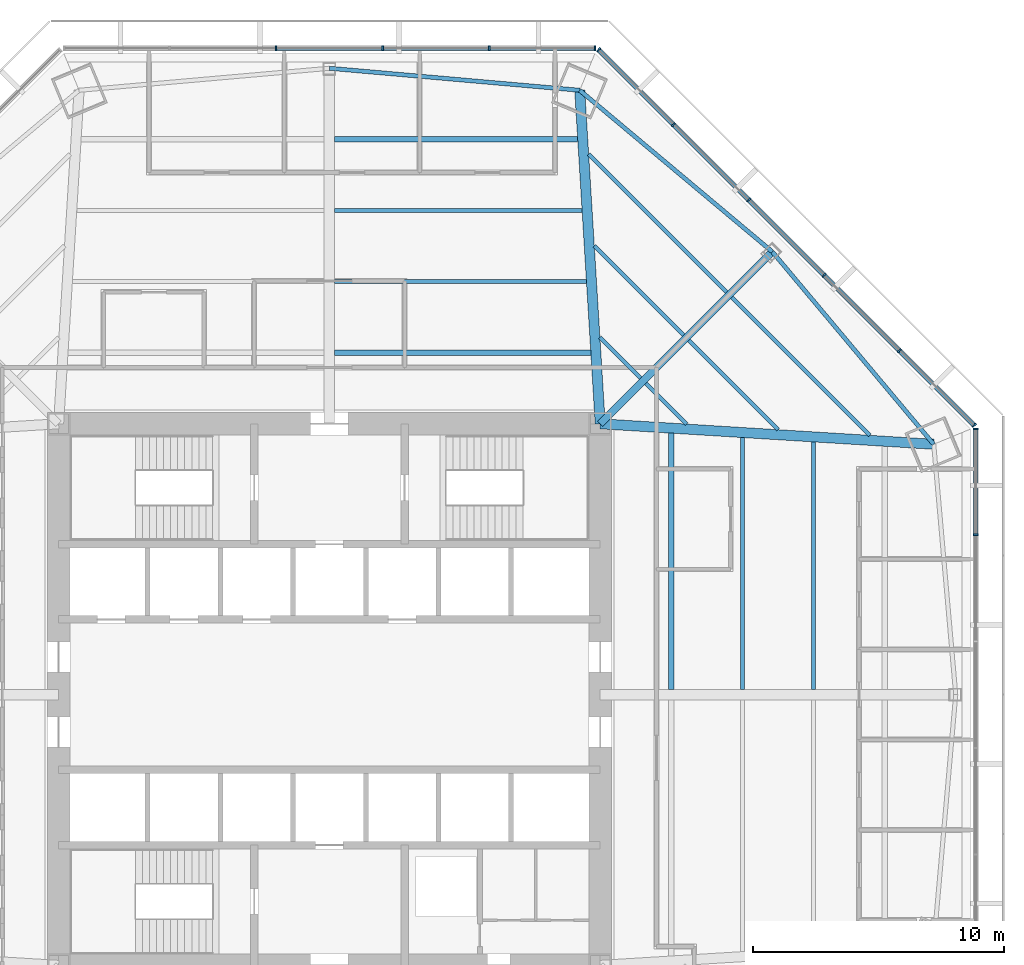
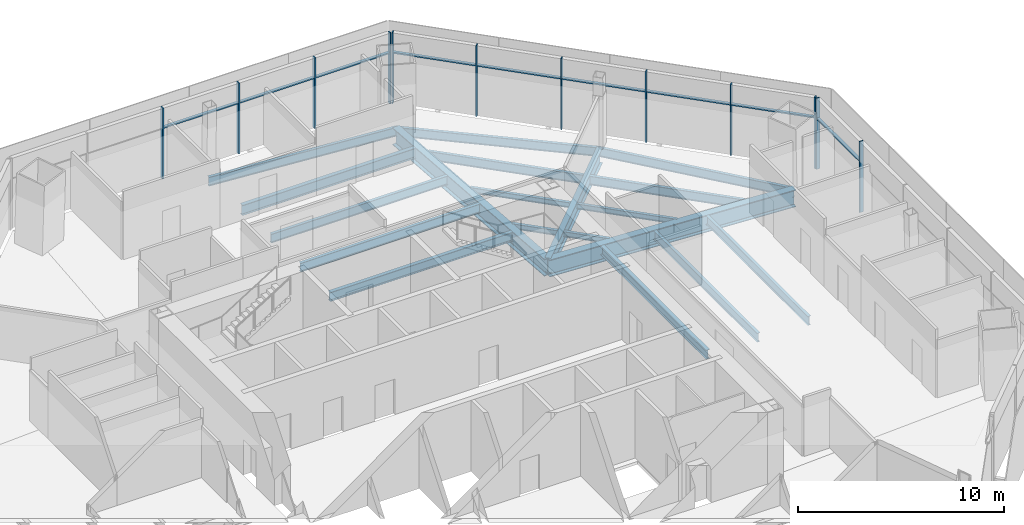
# One storey, part 7 of 16: 21 members, 19 beams, 3 elements without a shape of their own.
"""IFC4 building model written with IfcOpenShell, lengths in metres."""

from ifc_helpers import new_model, si_unit, direction, frame, origin, origin_2d, place, context, subcontext, project, spatial, rectangle, i_section, extrude, source, transform, mapped, material, material_profile, profile_set, type_object, type_shapes, element, aggregate, save


model = new_model("IFC4")

# Units and contexts
model_context = context("Model", 3, precision=1e-05, world=origin(), true_north=direction((0.0, 1.0)))
body_context = subcontext(model_context, "Body", "Model", "MODEL_VIEW")
ifc_project = project(units=[si_unit("LENGTHUNIT", "METRE"), si_unit("AREAUNIT", "SQUARE_METRE"), si_unit("VOLUMEUNIT", "CUBIC_METRE"), si_unit("PLANEANGLEUNIT", "RADIAN"), si_unit("MASSUNIT", "GRAM", prefix="KILO")], contexts=[model_context])

# Site, building, storey
site_placement = place(None, origin())
site = spatial("IfcSite", under=ifc_project, at=site_placement, CompositionType="ELEMENT")
building_placement = place(site_placement, origin())
building = spatial("IfcBuilding", under=site, at=building_placement, Name="Mashrafa Tower", CompositionType="ELEMENT")
storey_placement = place(building_placement, frame((0.0, 0.0, 79.199951171875)))
storey = spatial("IfcBuildingStorey", under=building, at=storey_placement, Name="L17", CompositionType="ELEMENT", Elevation=79.199951171875)

# Beams
ifc_material_1 = material(Name="Steel ASTM A992", Category="steel")
ifc_material_profile_1 = material_profile(ifc_material_1, i_section(OverallWidth=0.164794921875, OverallDepth=0.309814453125, WebThickness=0.005859375, FlangeThickness=0.009765625, FilletRadius=0.007568359375, at=origin_2d()), Name="W12X26")
ifc_profile_set_1 = profile_set([ifc_material_profile_1], Name="Steel ASTM A992")
beam_type_1 = type_object("IfcBeamType", Name="Beam W12X26", PredefinedType="BEAM", material=ifc_profile_set_1)
beam_1_placement = place(storey_placement, frame((10.56494140625, 17.89794921875, -0.31982421875), z_axis=(0.707082525744, -0.707131035797, 0.0), x_axis=(0.707131035797, 0.707082525744, 0.0)))
element("IfcBeam", 1, at=beam_1_placement, inside=storey, type_object=beam_type_1, Name="Floor beam L17 036", PredefinedType="BEAM", context=body_context, shape_type="SweptSolid", body=[
    extrude(i_section(OverallWidth=0.164794921875, OverallDepth=0.309814453125, WebThickness=0.005859375, FlangeThickness=0.009765625, FilletRadius=0.007568359375, at=origin_2d()), origin(), (0.0, 0.0, 1.0), 5.03271484375),
])
for number, where, z_axis, x_axis, name in (
    (2, (10.78955078125, 14.24169921875, -0.31982421875), (0.707160117545, -0.707053440804, 0.0), (0.707053440804, 0.707160117545, 0.0), "Floor beam L17 038"),
    (3, (12.62353515625, 12.407958984375, -0.31982421875), (0.707053440804, -0.707160117545, 0.0), (0.707160117545, 0.707053440804, 0.0), "Floor beam L17 041"),
):
    element("IfcBeam", number, at=place(storey_placement, frame(where, z_axis=z_axis, x_axis=x_axis)), inside=storey, type_object=beam_type_1, Name=name, PredefinedType="BEAM", context=body_context, shape_type="SweptSolid", body=[
        extrude(i_section(OverallWidth=0.164794921875, OverallDepth=0.309814453125, WebThickness=0.005859375, FlangeThickness=0.009765625, FilletRadius=0.007568359375, at=origin_2d()), origin(), (0.0, 0.0, 1.0), 2.28857421875),
    ])
beam_2_placement = place(storey_placement, frame((14.339111328125, 14.12353515625, -0.31982421875), z_axis=(0.707131035797, -0.707082525744, 0.0), x_axis=(0.707082525744, 0.707131035797, 0.0)))
element("IfcBeam", 4, at=beam_2_placement, inside=storey, type_object=beam_type_1, Name="Floor beam L17 045", PredefinedType="BEAM", context=body_context, shape_type="SweptSolid", body=[
    extrude(i_section(OverallWidth=0.164794921875, OverallDepth=0.309814453125, WebThickness=0.005859375, FlangeThickness=0.009765625, FilletRadius=0.007568359375, at=origin_2d()), origin(), (0.0, 0.0, 1.0), 5.03271484375),
])
ifc_material_2 = material(Name="Steel ASTM A992", Category="steel")
ifc_material_profile_2 = material_profile(ifc_material_2, i_section(OverallWidth=0.165771484375, OverallDepth=0.5283203125, WebThickness=0.009765625, FlangeThickness=0.013671875, FilletRadius=0.012939453125, at=origin_2d()), Name="W21X50")
ifc_profile_set_2 = profile_set([ifc_material_profile_2], Name="Steel ASTM A992")
beam_type_2 = type_object("IfcBeamType", Name="Beam W21X50", PredefinedType="BEAM", material=ifc_profile_set_2)
beam_3_placement = place(storey_placement, frame((0.212158203125, 16.4716796875, -0.42919921875), z_axis=(1.0, 0.0, 0.0), x_axis=(0.0, 1.0, 0.0)))
element("IfcBeam", 5, at=beam_3_placement, inside=storey, type_object=beam_type_2, Name="Floor beam L17 030", PredefinedType="BEAM", context=body_context, shape_type="SweptSolid", body=[
    extrude(i_section(OverallWidth=0.165771484375, OverallDepth=0.5283203125, WebThickness=0.009765625, FlangeThickness=0.013671875, FilletRadius=0.012939453125, at=origin_2d()), origin(), (0.0, 0.0, 1.0), 10.038330078125),
])
beam_4_placement = place(storey_placement, frame((0.212158203125, 19.307373046875, -0.42919921875), z_axis=(1.0, 0.0, 0.0), x_axis=(0.0, 1.0, 0.0)))
element("IfcBeam", 6, at=beam_4_placement, inside=storey, type_object=beam_type_2, Name="Floor beam L17 031", PredefinedType="BEAM", context=body_context, shape_type="SweptSolid", body=[
    extrude(i_section(OverallWidth=0.165771484375, OverallDepth=0.5283203125, WebThickness=0.009765625, FlangeThickness=0.013671875, FilletRadius=0.012939453125, at=origin_2d()), origin(), (0.0, 0.0, 1.0), 9.8642578125),
])
for number, where, z_axis, x_axis, name in (
    (7, (10.34033203125, 21.553955078125, -0.42919921875), (0.707106781187, -0.707106781187, 0.0), (0.707106781187, 0.707106781187, 0.0), "Floor beam L17 034"),
    (8, (16.054931640625, 15.83935546875, -0.42919921875), (0.707106781187, -0.707106781187, 0.0), (0.707106781187, 0.707106781187, 0.0), "Floor beam L17 048"),
):
    element("IfcBeam", number, at=place(storey_placement, frame(where, z_axis=z_axis, x_axis=x_axis)), inside=storey, type_object=beam_type_2, Name=name, PredefinedType="BEAM", context=body_context, shape_type="SweptSolid", body=[
        extrude(i_section(OverallWidth=0.165771484375, OverallDepth=0.5283203125, WebThickness=0.009765625, FlangeThickness=0.013671875, FilletRadius=0.012939453125, at=origin_2d()), origin(), (0.0, 0.0, 1.0), 7.77685546875),
    ])
beam_5_placement = place(storey_placement, frame((16.4716796875, 10.25048828125, -0.42919921875), z_axis=(0.0, -1.0, 0.0), x_axis=(1.0, 0.0, 0.0)))
element("IfcBeam", 9, at=beam_5_placement, inside=storey, type_object=beam_type_2, Name="Floor beam L17 050", PredefinedType="BEAM", context=body_context, shape_type="SweptSolid", body=[
    extrude(i_section(OverallWidth=0.165771484375, OverallDepth=0.5283203125, WebThickness=0.009765625, FlangeThickness=0.013671875, FilletRadius=0.012939453125, at=origin_2d()), origin(), (0.0, 0.0, 1.0), 10.038330078125),
])
beam_6_placement = place(storey_placement, frame((19.307373046875, 10.076416015625, -0.42919921875), z_axis=(0.0, -1.0, 0.0), x_axis=(1.0, 0.0, 0.0)))
element("IfcBeam", 10, at=beam_6_placement, inside=storey, type_object=beam_type_2, Name="Floor beam L17 053", PredefinedType="BEAM", context=body_context, shape_type="SweptSolid", body=[
    extrude(i_section(OverallWidth=0.165771484375, OverallDepth=0.5283203125, WebThickness=0.009765625, FlangeThickness=0.013671875, FilletRadius=0.012939453125, at=origin_2d()), origin(), (0.0, 0.0, 1.0), 9.8642578125),
])
beam_7_placement = place(storey_placement, frame((9.98291015625, 24.1005859375, -0.42919921875), z_axis=(-0.996151025151, 0.087653494461, 0.0), x_axis=(-0.087653494461, -0.996151025151, 0.0)))
element("IfcBeam", 11, at=beam_7_placement, inside=storey, type_object=beam_type_2, Name="Spandrel beam L17 083", PredefinedType="BEAM", context=body_context, shape_type="SweptSolid", body=[
    extrude(i_section(OverallWidth=0.165771484375, OverallDepth=0.5283203125, WebThickness=0.009765625, FlangeThickness=0.013671875, FilletRadius=0.012939453125, at=origin_2d()), origin(), (0.0, 0.0, 1.0), 10.021484375),
])
for number, where, z_axis, x_axis, name in (
    (12, (17.662841796875, 17.662841796875, -0.42919921875), (-0.766362929588, 0.642407861217, 0.0), (-0.642407861217, -0.766362929588, 0.0), "Spandrel beam L17 085"),
    (13, (24.1005859375, 9.98291015625, -0.42919921875), (-0.642407861217, 0.766362929588, 0.0), (-0.766362929588, -0.642407861217, 0.0), "Spandrel beam L17 087"),
):
    element("IfcBeam", number, at=place(storey_placement, frame(where, z_axis=z_axis, x_axis=x_axis)), inside=storey, type_object=beam_type_2, Name=name, PredefinedType="BEAM", context=body_context, shape_type="SweptSolid", body=[
        extrude(i_section(OverallWidth=0.165771484375, OverallDepth=0.5283203125, WebThickness=0.009765625, FlangeThickness=0.013671875, FilletRadius=0.012939453125, at=origin_2d()), origin(), (0.0, 0.0, 1.0), 10.021240234375),
    ])
ifc_material_3 = material(Name="Steel ASTM A992", Category="steel")
ifc_material_profile_3 = material_profile(ifc_material_3, i_section(OverallWidth=0.209228515625, OverallDepth=0.533447265625, WebThickness=0.01025390625, FlangeThickness=0.015625, FilletRadius=0.012939453125, at=origin_2d()), Name="W21X62")
ifc_profile_set_3 = profile_set([ifc_material_profile_3], Name="Steel ASTM A992")
beam_type_3 = type_object("IfcBeamType", Name="Beam W21X62", PredefinedType="BEAM", material=ifc_profile_set_3)
for number, where, z_axis, x_axis, name in (
    (14, (0.212158203125, 13.6357421875, -0.431640625), (1.0, 0.0, 0.0), (0.0, 1.0, 0.0), "Floor beam L17 029"),
    (15, (13.6357421875, 10.4248046875, -0.431640625), (0.0, -1.0, 0.0), (1.0, 0.0, 0.0), "Floor beam L17 043"),
):
    element("IfcBeam", number, at=place(storey_placement, frame(where, z_axis=z_axis, x_axis=x_axis)), inside=storey, type_object=beam_type_3, Name=name, PredefinedType="BEAM", context=body_context, shape_type="SweptSolid", body=[
        extrude(i_section(OverallWidth=0.209228515625, OverallDepth=0.533447265625, WebThickness=0.01025390625, FlangeThickness=0.015625, FilletRadius=0.012939453125, at=origin_2d()), origin(), (0.0, 0.0, 1.0), 10.212646484375),
    ])
ifc_material_4 = material(Name="Steel ASTM A992", Category="steel")
ifc_material_profile_4 = material_profile(ifc_material_4, i_section(OverallWidth=0.227783203125, OverallDepth=0.60205078125, WebThickness=0.010498046875, FlangeThickness=0.014892578125, FilletRadius=0.012939453125, at=origin_2d()), Name="W24X68")
ifc_profile_set_4 = profile_set([ifc_material_profile_4], Name="Steel ASTM A992")
beam_type_4 = type_object("IfcBeamType", Name="Beam W24X68", PredefinedType="BEAM", material=ifc_profile_set_4)
beam_8_placement = place(storey_placement, frame((0.212158203125, 22.14306640625, -0.4658203125), z_axis=(1.0, 0.0, 0.0), x_axis=(0.0, 1.0, 0.0)))
element("IfcBeam", 16, at=beam_8_placement, inside=storey, type_object=beam_type_4, Name="Floor beam L17 032", PredefinedType="BEAM", context=body_context, shape_type="SweptSolid", body=[
    extrude(i_section(OverallWidth=0.227783203125, OverallDepth=0.60205078125, WebThickness=0.010498046875, FlangeThickness=0.014892578125, FilletRadius=0.012939453125, at=origin_2d()), origin(), (0.0, 0.0, 1.0), 9.68994140625),
])
ifc_material_5 = material(Name="Steel ASTM A992", Category="steel")
ifc_material_profile_5 = material_profile(ifc_material_5, i_section(OverallWidth=0.3046875, OverallDepth=0.911865234375, WebThickness=0.015869140625, FlangeThickness=0.02392578125, FilletRadius=0.01904296875, at=origin_2d()), Name="W36X150")
ifc_profile_set_5 = profile_set([ifc_material_profile_5], Name="Steel ASTM A992")
beam_type_5 = type_object("IfcBeamType", Name="Beam W36X150", PredefinedType="BEAM", material=ifc_profile_set_5)
beam_9_placement = place(storey_placement, frame((10.800048828125, 10.800048828125, -0.620849609375), z_axis=(0.707106781187, 0.707106781187, 0.0), x_axis=(-0.707106781187, 0.707106781187, 0.0)))
element("IfcBeam", 17, at=beam_9_placement, inside=storey, type_object=beam_type_5, Name="Radial girder L17 071", PredefinedType="BEAM", context=body_context, shape_type="SweptSolid", body=[
    extrude(i_section(OverallWidth=0.3046875, OverallDepth=0.911865234375, WebThickness=0.015869140625, FlangeThickness=0.02392578125, FilletRadius=0.01904296875, at=origin_2d()), origin(), (0.0, 0.0, 1.0), 9.70556640625),
])
ifc_material_6 = material(Name="Steel ASTM A992", Category="steel")
ifc_material_profile_6 = material_profile(ifc_material_6, i_section(OverallWidth=0.4013671875, OverallDepth=1.010986328125, WebThickness=0.023681640625, FlangeThickness=0.0419921875, FilletRadius=0.02001953125, at=origin_2d()), Name="W40X297")
ifc_profile_set_6 = profile_set([ifc_material_profile_6], Name="Steel ASTM A992")
beam_type_6 = type_object("IfcBeamType", Name="Beam W40X297", PredefinedType="BEAM", material=ifc_profile_set_6)
for number, where, z_axis, x_axis, name in (
    (18, (10.800048828125, 10.800048828125, -0.67041015625), (-0.061320899618, 0.998118102867, 0.0), (-0.998118102867, -0.061320899618, 0.0), "Radial girder L17 070"),
    (19, (10.800048828125, 10.800048828125, -0.67041015625), (0.998118102867, -0.061320899618, 0.0), (0.061320899618, 0.998118102867, 0.0), "Radial girder L17 072"),
):
    element("IfcBeam", number, at=place(storey_placement, frame(where, z_axis=z_axis, x_axis=x_axis)), inside=storey, type_object=beam_type_6, Name=name, PredefinedType="BEAM", context=body_context, shape_type="SweptSolid", body=[
        extrude(i_section(OverallWidth=0.4013671875, OverallDepth=1.010986328125, WebThickness=0.023681640625, FlangeThickness=0.0419921875, FilletRadius=0.02001953125, at=origin_2d()), origin(), (0.0, 0.0, 1.0), 13.32568359375),
    ])

# Curtain wall, members
ifc_material_7 = material(Name="Unitised aluminium curtain wall", Category="aluminium")
curtain_wall_type = type_object("IfcCurtainWallType", Name="Office curtain wall, zone 1 CW-A 200 deep", PredefinedType="NOTDEFINED", material=ifc_material_7)
curtain_wall_1_placement = place(storey_placement, origin())
curtain_wall_1 = element("IfcCurtainWall", 20, at=curtain_wall_1_placement, inside=storey, type_object=curtain_wall_type, Name="Office curtain wall, zone 1 L17 east", PredefinedType="NOTDEFINED")
ifc_material_8 = material(Name="Extruded aluminium mullion", Category="aluminium")
ifc_material_profile_7 = material_profile(ifc_material_8, rectangle(XDim=0.199951171875, YDim=0.06494140625, at=origin_2d()), Name="Mullion 65x200")
ifc_profile_set_7 = profile_set([ifc_material_profile_7], Name="Extruded aluminium mullion")
member_type_1 = type_object("IfcMemberType", Name="Mullion CW-A 65 x 200", PredefinedType="MULLION", material=ifc_profile_set_7)
shared_shape_1 = source(origin(), body_context, "Body", "SweptSolid", [
    extrude(rectangle(XDim=0.199951171875, YDim=0.06494140625, at=origin_2d()), origin(), (0.0, 0.0, 1.0), 4.199951171875),
])
type_shapes(member_type_1, [shared_shape_1])
member_1_placement = place(storey_placement, frame((25.774169921875, 6.374755859375, 0.0), z_axis=(0.0, 0.0, 1.0), x_axis=(-1.0, 0.0, 0.0)))
member_1 = element("IfcMember", 21, at=member_1_placement, type_object=member_type_1, Name="CW-A mullion 5", PredefinedType="MULLION", context=body_context, shape_type="MappedRepresentation", body=[
    mapped(shared_shape_1, transform((0.0, 0.0, 0.0))),
])
member_2_placement = place(storey_placement, frame((25.774169921875, 10.592041015625, 0.0), z_axis=(0.0, 0.0, 1.0), x_axis=(-1.0, 0.0, 0.0)))
member_2 = element("IfcMember", 22, at=member_2_placement, type_object=member_type_1, Name="CW-A mullion 6", PredefinedType="MULLION", context=body_context, shape_type="MappedRepresentation", body=[
    mapped(shared_shape_1, transform((0.0, 0.0, 0.0))),
])

curtain_wall_2_placement = place(storey_placement, origin())
curtain_wall_2 = element("IfcCurtainWall", 23, at=curtain_wall_2_placement, inside=storey, type_object=curtain_wall_type, Name="Office curtain wall, zone 1 L17 north-east", PredefinedType="NOTDEFINED")
member_3_placement = place(storey_placement, frame((25.71484375, 10.7353515625, 0.0), z_axis=(0.0, 0.0, 1.0), x_axis=(-0.707106781187, -0.707106781187, 0.0)))
member_3 = element("IfcMember", 24, at=member_3_placement, type_object=member_type_1, Name="CW-A mullion 1", PredefinedType="MULLION", context=body_context, shape_type="MappedRepresentation", body=[
    mapped(shared_shape_1, transform((0.0, 0.0, 0.0))),
])
member_4_placement = place(storey_placement, frame((22.73291015625, 13.717529296875, 0.0), z_axis=(0.0, 0.0, 1.0), x_axis=(-0.707106781187, -0.707106781187, 0.0)))
member_4 = element("IfcMember", 25, at=member_4_placement, type_object=member_type_1, Name="CW-A mullion 2", PredefinedType="MULLION", context=body_context, shape_type="MappedRepresentation", body=[
    mapped(shared_shape_1, transform((0.0, 0.0, 0.0))),
])
member_5_placement = place(storey_placement, frame((19.727783203125, 16.72265625, 0.0), z_axis=(0.0, 0.0, 1.0), x_axis=(-0.707106781187, -0.707106781187, 0.0)))
member_5 = element("IfcMember", 26, at=member_5_placement, type_object=member_type_1, Name="CW-A mullion 3", PredefinedType="MULLION", context=body_context, shape_type="MappedRepresentation", body=[
    mapped(shared_shape_1, transform((0.0, 0.0, 0.0))),
])
member_6_placement = place(storey_placement, frame((16.72265625, 19.727783203125, 0.0), z_axis=(0.0, 0.0, 1.0), x_axis=(-0.707106781187, -0.707106781187, 0.0)))
member_6 = element("IfcMember", 27, at=member_6_placement, type_object=member_type_1, Name="CW-A mullion 4", PredefinedType="MULLION", context=body_context, shape_type="MappedRepresentation", body=[
    mapped(shared_shape_1, transform((0.0, 0.0, 0.0))),
])
member_7_placement = place(storey_placement, frame((13.717529296875, 22.73291015625, 0.0), z_axis=(0.0, 0.0, 1.0), x_axis=(-0.707106781187, -0.707106781187, 0.0)))
member_7 = element("IfcMember", 28, at=member_7_placement, type_object=member_type_1, Name="CW-A mullion 5", PredefinedType="MULLION", context=body_context, shape_type="MappedRepresentation", body=[
    mapped(shared_shape_1, transform((0.0, 0.0, 0.0))),
])
member_8_placement = place(storey_placement, frame((10.7353515625, 25.71484375, 0.0), z_axis=(0.0, 0.0, 1.0), x_axis=(-0.707106781187, -0.707106781187, 0.0)))
member_8 = element("IfcMember", 29, at=member_8_placement, type_object=member_type_1, Name="CW-A mullion 6", PredefinedType="MULLION", context=body_context, shape_type="MappedRepresentation", body=[
    mapped(shared_shape_1, transform((0.0, 0.0, 0.0))),
])

curtain_wall_3_placement = place(storey_placement, origin())
curtain_wall_3 = element("IfcCurtainWall", 30, at=curtain_wall_3_placement, inside=storey, type_object=curtain_wall_type, Name="Office curtain wall, zone 1 L17 north", PredefinedType="NOTDEFINED")
member_9_placement = place(storey_placement, frame((10.592041015625, 25.774169921875, 0.0), z_axis=(0.0, 0.0, 1.0), x_axis=(0.0, -1.0, 0.0)))
member_9 = element("IfcMember", 31, at=member_9_placement, type_object=member_type_1, Name="CW-A mullion 1", PredefinedType="MULLION", context=body_context, shape_type="MappedRepresentation", body=[
    mapped(shared_shape_1, transform((0.0, 0.0, 0.0))),
])
member_10_placement = place(storey_placement, frame((6.374755859375, 25.774169921875, 0.0), z_axis=(0.0, 0.0, 1.0), x_axis=(0.0, -1.0, 0.0)))
member_10 = element("IfcMember", 32, at=member_10_placement, type_object=member_type_1, Name="CW-A mullion 2", PredefinedType="MULLION", context=body_context, shape_type="MappedRepresentation", body=[
    mapped(shared_shape_1, transform((0.0, 0.0, 0.0))),
])
member_11_placement = place(storey_placement, frame((2.125, 25.774169921875, 0.0), z_axis=(0.0, 0.0, 1.0), x_axis=(0.0, -1.0, 0.0)))
member_11 = element("IfcMember", 33, at=member_11_placement, type_object=member_type_1, Name="CW-A mullion 3", PredefinedType="MULLION", context=body_context, shape_type="MappedRepresentation", body=[
    mapped(shared_shape_1, transform((0.0, 0.0, 0.0))),
])
member_12_placement = place(storey_placement, frame((-2.125, 25.774169921875, 0.0), z_axis=(0.0, 0.0, 1.0), x_axis=(0.0, -1.0, 0.0)))
member_12 = element("IfcMember", 34, at=member_12_placement, type_object=member_type_1, Name="CW-A mullion 4", PredefinedType="MULLION", context=body_context, shape_type="MappedRepresentation", body=[
    mapped(shared_shape_1, transform((0.0, 0.0, 0.0))),
])

# Member
ifc_material_9 = material(Name="Extruded aluminium transom", Category="aluminium")
ifc_material_profile_8 = material_profile(ifc_material_9, rectangle(XDim=0.159912109375, YDim=0.080078125, at=origin_2d()), Name="Transom 80x160")
ifc_profile_set_8 = profile_set([ifc_material_profile_8], Name="Extruded aluminium transom")
member_type_2 = type_object("IfcMemberType", Name="Transom CW-A 80 x 160", PredefinedType="MULLION", material=ifc_profile_set_8)
shared_shape_2 = source(origin(), body_context, "Body", "SweptSolid", [
    extrude(rectangle(XDim=0.159912109375, YDim=0.080078125, at=origin_2d()), origin(), (0.0, 0.0, 1.0), 4.15234375),
])
member_13_placement = place(storey_placement, frame((25.774169921875, 6.4072265625, 3.0), z_axis=(0.0, 1.0, 0.0), x_axis=(-1.0, 0.0, 0.0)))
member_13 = element("IfcMember", 35, at=member_13_placement, type_object=member_type_2, Name="CW-A transom 5", PredefinedType="MULLION", context=body_context, shape_type="MappedRepresentation", body=[
    mapped(shared_shape_2, transform((0.0, 0.0, 0.0))),
])

aggregate(curtain_wall_1, [member_1, member_2, member_13])

member_14_placement = place(storey_placement, frame((25.69189453125, 10.75830078125, 3.0), z_axis=(-0.707077382713, 0.707136178438, 0.0), x_axis=(-0.707136178438, -0.707077382713, 0.0)))
member_14 = element("IfcMember", 36, at=member_14_placement, type_object=member_type_2, Name="CW-A transom 1", PredefinedType="MULLION", context=body_context, shape_type="MappedRepresentation", body=[
    mapped(shared_shape_2, transform((0.0, 0.0, 0.0))),
])

member_15_placement = place(storey_placement, frame((13.694580078125, 22.755859375, 3.0), z_axis=(-0.707136178438, 0.707077382713, 0.0), x_axis=(-0.707077382713, -0.707136178438, 0.0)))
member_15 = element("IfcMember", 37, at=member_15_placement, type_object=member_type_2, Name="CW-A transom 5", PredefinedType="MULLION", context=body_context, shape_type="MappedRepresentation", body=[
    mapped(shared_shape_2, transform((0.0, 0.0, 0.0))),
])

member_16_placement = place(storey_placement, frame((10.5595703125, 25.774169921875, 3.0), z_axis=(-1.0, 0.0, 0.0), x_axis=(0.0, -1.0, 0.0)))
member_16 = element("IfcMember", 38, at=member_16_placement, type_object=member_type_2, Name="CW-A transom 1", PredefinedType="MULLION", context=body_context, shape_type="MappedRepresentation", body=[
    mapped(shared_shape_2, transform((0.0, 0.0, 0.0))),
])

shared_shape_3 = source(origin(), body_context, "Body", "SweptSolid", [
    extrude(rectangle(XDim=0.159912109375, YDim=0.080078125, at=origin_2d()), origin(), (0.0, 0.0, 1.0), 4.184814453125),
])
member_17_placement = place(storey_placement, frame((22.709716796875, 13.740478515625, 3.0), z_axis=(-0.707077610716, 0.707135950453, 0.0), x_axis=(-0.707135950453, -0.707077610716, 0.0)))
member_17 = element("IfcMember", 39, at=member_17_placement, type_object=member_type_2, Name="CW-A transom 2", PredefinedType="MULLION", context=body_context, shape_type="MappedRepresentation", body=[
    mapped(shared_shape_3, transform((0.0, 0.0, 0.0))),
])

member_18_placement = place(storey_placement, frame((16.69970703125, 19.750732421875, 3.0), z_axis=(-0.707135950453, 0.707077610716, 0.0), x_axis=(-0.707077610716, -0.707135950453, 0.0)))
member_18 = element("IfcMember", 40, at=member_18_placement, type_object=member_type_2, Name="CW-A transom 4", PredefinedType="MULLION", context=body_context, shape_type="MappedRepresentation", body=[
    mapped(shared_shape_3, transform((0.0, 0.0, 0.0))),
])

member_19_placement = place(storey_placement, frame((6.34228515625, 25.774169921875, 3.0), z_axis=(-1.0, 0.0, 0.0), x_axis=(0.0, -1.0, 0.0)))
member_19 = element("IfcMember", 41, at=member_19_placement, type_object=member_type_2, Name="CW-A transom 2", PredefinedType="MULLION", context=body_context, shape_type="MappedRepresentation", body=[
    mapped(shared_shape_3, transform((0.0, 0.0, 0.0))),
])

shared_shape_4 = source(origin(), body_context, "Body", "SweptSolid", [
    extrude(rectangle(XDim=0.159912109375, YDim=0.080078125, at=origin_2d()), origin(), (0.0, 0.0, 1.0), 4.18505859375),
])
type_shapes(member_type_2, [shared_shape_2, shared_shape_3, shared_shape_4])
member_20_placement = place(storey_placement, frame((19.704833984375, 16.74560546875, 3.0), z_axis=(-0.707106781187, 0.707106781187, 0.0), x_axis=(-0.707106781187, -0.707106781187, 0.0)))
member_20 = element("IfcMember", 42, at=member_20_placement, type_object=member_type_2, Name="CW-A transom 3", PredefinedType="MULLION", context=body_context, shape_type="MappedRepresentation", body=[
    mapped(shared_shape_4, transform((0.0, 0.0, 0.0))),
])

aggregate(curtain_wall_2, [member_3, member_4, member_5, member_6, member_7, member_8, member_14, member_17, member_20, member_18, member_15])

member_21_placement = place(storey_placement, frame((2.092529296875, 25.774169921875, 3.0), z_axis=(-1.0, 0.0, 0.0), x_axis=(0.0, -1.0, 0.0)))
member_21 = element("IfcMember", 43, at=member_21_placement, type_object=member_type_2, Name="CW-A transom 3", PredefinedType="MULLION", context=body_context, shape_type="MappedRepresentation", body=[
    mapped(shared_shape_4, transform((0.0, 0.0, 0.0))),
])

aggregate(curtain_wall_3, [member_9, member_10, member_11, member_12, member_16, member_19, member_21])

save(model, "model.ifc")
